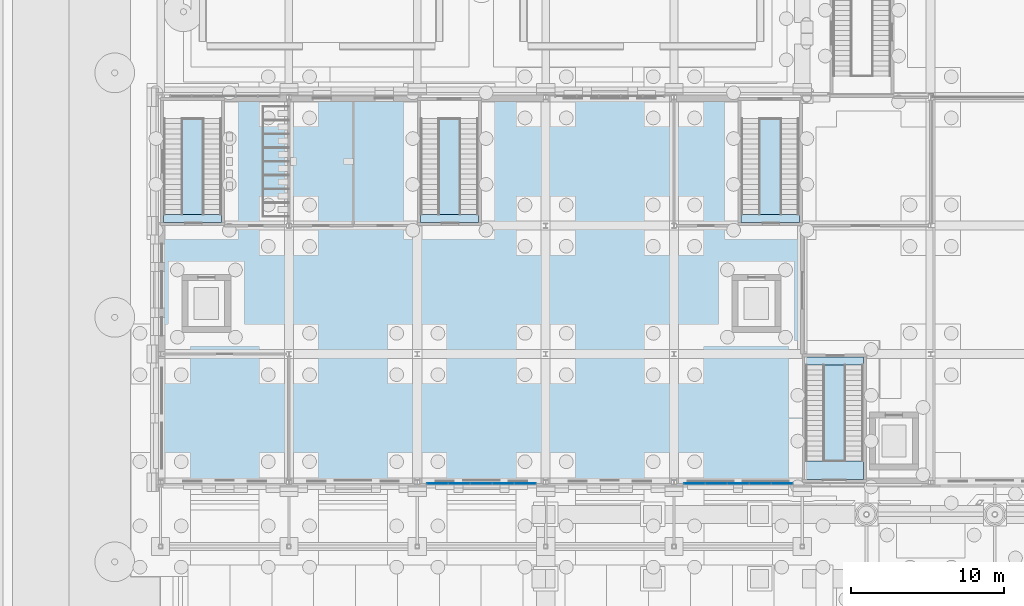
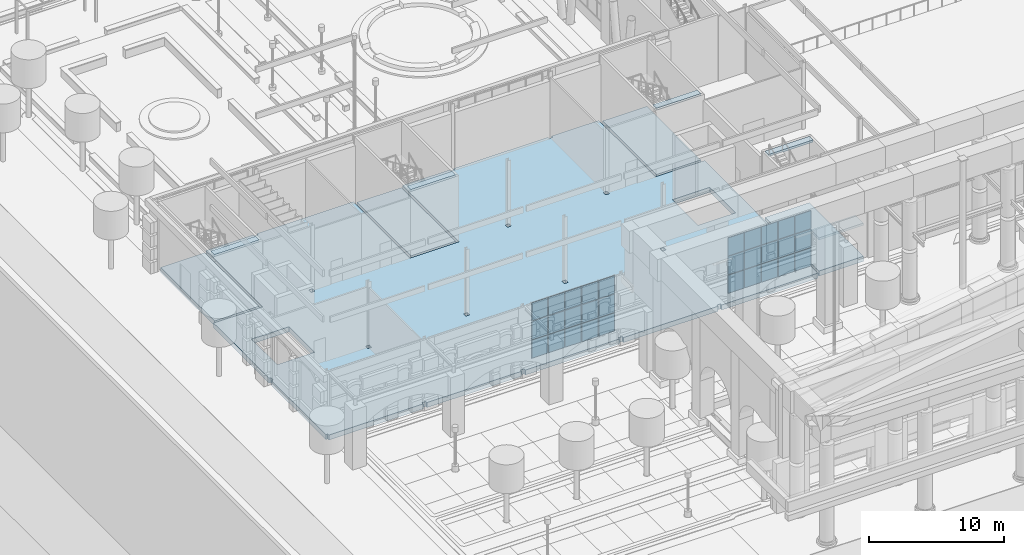
# One storey, part 74 of 222: 30 plates, 10 slabs, 6 elements without a shape of their own.
"""IFC4 building model written with IfcOpenShell, lengths in metres."""

from ifc_helpers import new_model, si_unit, direction, frame, origin, origin_2d, place, context, subcontext, project, spatial, polyline, rectangle, outline, extrude, material, layer, layer_set, type_object, element, aggregate, save


model = new_model("IFC4")

# Units and contexts
model_context = context("Model", 3, precision=1e-05, world=origin(), true_north=direction((0.0, 1.0)))
body_context = subcontext(model_context, "Body", "Model", "MODEL_VIEW")
ifc_project = project(units=[si_unit("LENGTHUNIT", "METRE"), si_unit("AREAUNIT", "SQUARE_METRE"), si_unit("VOLUMEUNIT", "CUBIC_METRE"), si_unit("PLANEANGLEUNIT", "RADIAN"), si_unit("MASSUNIT", "GRAM", prefix="KILO")], contexts=[model_context])

# Site, building, storey
site_placement = place(None, origin())
site = spatial("IfcSite", under=ifc_project, at=site_placement, CompositionType="ELEMENT")
building_placement = place(site_placement, origin())
building = spatial("IfcBuilding", under=site, at=building_placement, Name="Sava Quay Ferry Terminal", CompositionType="ELEMENT")
storey_placement = place(building_placement, origin())
storey = spatial("IfcBuildingStorey", under=building, at=storey_placement, Name="L00", CompositionType="ELEMENT", Elevation=0.0)

# Curtain wall, plates
ifc_material_1 = material(Name="Aluminium and glass curtain wall, double low-e glazed", Category="aluminium")
curtain_wall_type = type_object("IfcCurtainWallType", Name="Curtain wall CW-F flank", PredefinedType="NOTDEFINED", material=ifc_material_1)
curtain_wall_1_placement = place(storey_placement, origin())
curtain_wall_1 = element("IfcCurtainWall", 1, at=curtain_wall_1_placement, inside=storey, type_object=curtain_wall_type, Name="Curtain wall W-S L00 bay 3", PredefinedType="NOTDEFINED")
ifc_material_2 = material(Name="Laminated glass, double low-e glazed unit", Category="glass")
ifc_layer_1 = layer(ifc_material_2, 0.028076171875)
ifc_layer_set_1 = layer_set([ifc_layer_1], Name="Laminated glass, double low-e glazed unit")
plate_type = type_object("IfcPlateType", Name="Glass panel 28 double low-e", PredefinedType="CURTAIN_PANEL", material=ifc_layer_set_1)
plate_1_placement = place(storey_placement, frame((18.135009765625, 25.114990234375, 0.949951171875), z_axis=(0.0, 0.0, 1.0), x_axis=(1.0, 0.0, 0.0)))
plate_1 = element("IfcPlate", 2, at=plate_1_placement, type_object=plate_type, Name="CW131 panel 1.1", PredefinedType="CURTAIN_PANEL", context=body_context, shape_type="SweptSolid", body=[
    extrude(rectangle(XDim=1.35009765625, YDim=0.028076171875, at=origin_2d()), origin(), (0.0, 0.0, 1.0), 1.625),
])
plate_2_placement = place(storey_placement, frame((18.135009765625, 25.114990234375, 2.625), z_axis=(0.0, 0.0, 1.0), x_axis=(1.0, 0.0, 0.0)))
plate_2 = element("IfcPlate", 3, at=plate_2_placement, type_object=plate_type, Name="CW131 panel 1.2", PredefinedType="CURTAIN_PANEL", context=body_context, shape_type="SweptSolid", body=[
    extrude(rectangle(XDim=1.35009765625, YDim=0.028076171875, at=origin_2d()), origin(), (0.0, 0.0, 1.0), 1.64990234375),
])
plate_3_placement = place(storey_placement, frame((18.135009765625, 25.114990234375, 4.324951171875), z_axis=(0.0, 0.0, 1.0), x_axis=(1.0, 0.0, 0.0)))
plate_3 = element("IfcPlate", 4, at=plate_3_placement, type_object=plate_type, Name="CW131 panel 1.3", PredefinedType="CURTAIN_PANEL", context=body_context, shape_type="SweptSolid", body=[
    extrude(rectangle(XDim=1.35009765625, YDim=0.028076171875, at=origin_2d()), origin(), (0.0, 0.0, 1.0), 1.625),
])
plate_4_placement = place(storey_placement, frame((19.56005859375, 25.114990234375, 0.949951171875), z_axis=(0.0, 0.0, 1.0), x_axis=(1.0, 0.0, 0.0)))
plate_4 = element("IfcPlate", 5, at=plate_4_placement, type_object=plate_type, Name="CW131 panel 2.1", PredefinedType="CURTAIN_PANEL", context=body_context, shape_type="SweptSolid", body=[
    extrude(rectangle(XDim=1.3798828125, YDim=0.028076171875, at=origin_2d()), origin(), (0.0, 0.0, 1.0), 1.625),
])
plate_5_placement = place(storey_placement, frame((19.56005859375, 25.114990234375, 2.625), z_axis=(0.0, 0.0, 1.0), x_axis=(1.0, 0.0, 0.0)))
plate_5 = element("IfcPlate", 6, at=plate_5_placement, type_object=plate_type, Name="CW131 panel 2.2", PredefinedType="CURTAIN_PANEL", context=body_context, shape_type="SweptSolid", body=[
    extrude(rectangle(XDim=1.3798828125, YDim=0.028076171875, at=origin_2d()), origin(), (0.0, 0.0, 1.0), 1.64990234375),
])
plate_6_placement = place(storey_placement, frame((19.56005859375, 25.114990234375, 4.324951171875), z_axis=(0.0, 0.0, 1.0), x_axis=(1.0, 0.0, 0.0)))
plate_6 = element("IfcPlate", 7, at=plate_6_placement, type_object=plate_type, Name="CW131 panel 2.3", PredefinedType="CURTAIN_PANEL", context=body_context, shape_type="SweptSolid", body=[
    extrude(rectangle(XDim=1.3798828125, YDim=0.028076171875, at=origin_2d()), origin(), (0.0, 0.0, 1.0), 1.625),
])
plate_7_placement = place(storey_placement, frame((21.0, 25.114990234375, 0.949951171875), z_axis=(0.0, 0.0, 1.0), x_axis=(1.0, 0.0, 0.0)))
plate_7 = element("IfcPlate", 8, at=plate_7_placement, type_object=plate_type, Name="CW131 panel 3.1", PredefinedType="CURTAIN_PANEL", context=body_context, shape_type="SweptSolid", body=[
    extrude(rectangle(XDim=1.3798828125, YDim=0.028076171875, at=origin_2d()), origin(), (0.0, 0.0, 1.0), 1.625),
])
plate_8_placement = place(storey_placement, frame((21.0, 25.114990234375, 2.625), z_axis=(0.0, 0.0, 1.0), x_axis=(1.0, 0.0, 0.0)))
plate_8 = element("IfcPlate", 9, at=plate_8_placement, type_object=plate_type, Name="CW131 panel 3.2", PredefinedType="CURTAIN_PANEL", context=body_context, shape_type="SweptSolid", body=[
    extrude(rectangle(XDim=1.3798828125, YDim=0.028076171875, at=origin_2d()), origin(), (0.0, 0.0, 1.0), 1.64990234375),
])
plate_9_placement = place(storey_placement, frame((21.0, 25.114990234375, 4.324951171875), z_axis=(0.0, 0.0, 1.0), x_axis=(1.0, 0.0, 0.0)))
plate_9 = element("IfcPlate", 10, at=plate_9_placement, type_object=plate_type, Name="CW131 panel 3.3", PredefinedType="CURTAIN_PANEL", context=body_context, shape_type="SweptSolid", body=[
    extrude(rectangle(XDim=1.3798828125, YDim=0.028076171875, at=origin_2d()), origin(), (0.0, 0.0, 1.0), 1.625),
])
plate_10_placement = place(storey_placement, frame((22.43994140625, 25.114990234375, 0.949951171875), z_axis=(0.0, 0.0, 1.0), x_axis=(1.0, 0.0, 0.0)))
plate_10 = element("IfcPlate", 11, at=plate_10_placement, type_object=plate_type, Name="CW131 panel 4.1", PredefinedType="CURTAIN_PANEL", context=body_context, shape_type="SweptSolid", body=[
    extrude(rectangle(XDim=1.3798828125, YDim=0.028076171875, at=origin_2d()), origin(), (0.0, 0.0, 1.0), 1.625),
])
plate_11_placement = place(storey_placement, frame((22.43994140625, 25.114990234375, 2.625), z_axis=(0.0, 0.0, 1.0), x_axis=(1.0, 0.0, 0.0)))
plate_11 = element("IfcPlate", 12, at=plate_11_placement, type_object=plate_type, Name="CW131 panel 4.2", PredefinedType="CURTAIN_PANEL", context=body_context, shape_type="SweptSolid", body=[
    extrude(rectangle(XDim=1.3798828125, YDim=0.028076171875, at=origin_2d()), origin(), (0.0, 0.0, 1.0), 1.64990234375),
])
plate_12_placement = place(storey_placement, frame((22.43994140625, 25.114990234375, 4.324951171875), z_axis=(0.0, 0.0, 1.0), x_axis=(1.0, 0.0, 0.0)))
plate_12 = element("IfcPlate", 13, at=plate_12_placement, type_object=plate_type, Name="CW131 panel 4.3", PredefinedType="CURTAIN_PANEL", context=body_context, shape_type="SweptSolid", body=[
    extrude(rectangle(XDim=1.3798828125, YDim=0.028076171875, at=origin_2d()), origin(), (0.0, 0.0, 1.0), 1.625),
])
plate_13_placement = place(storey_placement, frame((23.864990234375, 25.114990234375, 0.949951171875), z_axis=(0.0, 0.0, 1.0), x_axis=(1.0, 0.0, 0.0)))
plate_13 = element("IfcPlate", 14, at=plate_13_placement, type_object=plate_type, Name="CW131 panel 5.1", PredefinedType="CURTAIN_PANEL", context=body_context, shape_type="SweptSolid", body=[
    extrude(rectangle(XDim=1.35009765625, YDim=0.028076171875, at=origin_2d()), origin(), (0.0, 0.0, 1.0), 1.625),
])
plate_14_placement = place(storey_placement, frame((23.864990234375, 25.114990234375, 2.625), z_axis=(0.0, 0.0, 1.0), x_axis=(1.0, 0.0, 0.0)))
plate_14 = element("IfcPlate", 15, at=plate_14_placement, type_object=plate_type, Name="CW131 panel 5.2", PredefinedType="CURTAIN_PANEL", context=body_context, shape_type="SweptSolid", body=[
    extrude(rectangle(XDim=1.35009765625, YDim=0.028076171875, at=origin_2d()), origin(), (0.0, 0.0, 1.0), 1.64990234375),
])
plate_15_placement = place(storey_placement, frame((23.864990234375, 25.114990234375, 4.324951171875), z_axis=(0.0, 0.0, 1.0), x_axis=(1.0, 0.0, 0.0)))
plate_15 = element("IfcPlate", 16, at=plate_15_placement, type_object=plate_type, Name="CW131 panel 5.3", PredefinedType="CURTAIN_PANEL", context=body_context, shape_type="SweptSolid", body=[
    extrude(rectangle(XDim=1.35009765625, YDim=0.028076171875, at=origin_2d()), origin(), (0.0, 0.0, 1.0), 1.625),
])
aggregate(curtain_wall_1, [plate_1, plate_2, plate_3, plate_4, plate_5, plate_6, plate_7, plate_8, plate_9, plate_10, plate_11, plate_12, plate_13, plate_14, plate_15])

curtain_wall_2_placement = place(storey_placement, origin())
curtain_wall_2 = element("IfcCurtainWall", 17, at=curtain_wall_2_placement, inside=storey, type_object=curtain_wall_type, Name="Curtain wall W-S L00 bay 5", PredefinedType="NOTDEFINED")
plate_16_placement = place(storey_placement, frame((34.93505859375, 25.114990234375, 0.949951171875), z_axis=(0.0, 0.0, 1.0), x_axis=(1.0, 0.0, 0.0)))
plate_16 = element("IfcPlate", 18, at=plate_16_placement, type_object=plate_type, Name="CW132 panel 1.1", PredefinedType="CURTAIN_PANEL", context=body_context, shape_type="SweptSolid", body=[
    extrude(rectangle(XDim=1.35009765625, YDim=0.028076171875, at=origin_2d()), origin(), (0.0, 0.0, 1.0), 1.625),
])
plate_17_placement = place(storey_placement, frame((34.93505859375, 25.114990234375, 2.625), z_axis=(0.0, 0.0, 1.0), x_axis=(1.0, 0.0, 0.0)))
plate_17 = element("IfcPlate", 19, at=plate_17_placement, type_object=plate_type, Name="CW132 panel 1.2", PredefinedType="CURTAIN_PANEL", context=body_context, shape_type="SweptSolid", body=[
    extrude(rectangle(XDim=1.35009765625, YDim=0.028076171875, at=origin_2d()), origin(), (0.0, 0.0, 1.0), 1.64990234375),
])
plate_18_placement = place(storey_placement, frame((34.93505859375, 25.114990234375, 4.324951171875), z_axis=(0.0, 0.0, 1.0), x_axis=(1.0, 0.0, 0.0)))
plate_18 = element("IfcPlate", 20, at=plate_18_placement, type_object=plate_type, Name="CW132 panel 1.3", PredefinedType="CURTAIN_PANEL", context=body_context, shape_type="SweptSolid", body=[
    extrude(rectangle(XDim=1.35009765625, YDim=0.028076171875, at=origin_2d()), origin(), (0.0, 0.0, 1.0), 1.625),
])
plate_19_placement = place(storey_placement, frame((36.360107421875, 25.114990234375, 0.949951171875), z_axis=(0.0, 0.0, 1.0), x_axis=(1.0, 0.0, 0.0)))
plate_19 = element("IfcPlate", 21, at=plate_19_placement, type_object=plate_type, Name="CW132 panel 2.1", PredefinedType="CURTAIN_PANEL", context=body_context, shape_type="SweptSolid", body=[
    extrude(rectangle(XDim=1.3798828125, YDim=0.028076171875, at=origin_2d()), origin(), (0.0, 0.0, 1.0), 1.625),
])
plate_20_placement = place(storey_placement, frame((36.360107421875, 25.114990234375, 2.625), z_axis=(0.0, 0.0, 1.0), x_axis=(1.0, 0.0, 0.0)))
plate_20 = element("IfcPlate", 22, at=plate_20_placement, type_object=plate_type, Name="CW132 panel 2.2", PredefinedType="CURTAIN_PANEL", context=body_context, shape_type="SweptSolid", body=[
    extrude(rectangle(XDim=1.3798828125, YDim=0.028076171875, at=origin_2d()), origin(), (0.0, 0.0, 1.0), 1.64990234375),
])
plate_21_placement = place(storey_placement, frame((36.360107421875, 25.114990234375, 4.324951171875), z_axis=(0.0, 0.0, 1.0), x_axis=(1.0, 0.0, 0.0)))
plate_21 = element("IfcPlate", 23, at=plate_21_placement, type_object=plate_type, Name="CW132 panel 2.3", PredefinedType="CURTAIN_PANEL", context=body_context, shape_type="SweptSolid", body=[
    extrude(rectangle(XDim=1.3798828125, YDim=0.028076171875, at=origin_2d()), origin(), (0.0, 0.0, 1.0), 1.625),
])
plate_22_placement = place(storey_placement, frame((37.800048828125, 25.114990234375, 0.949951171875), z_axis=(0.0, 0.0, 1.0), x_axis=(1.0, 0.0, 0.0)))
plate_22 = element("IfcPlate", 24, at=plate_22_placement, type_object=plate_type, Name="CW132 panel 3.1", PredefinedType="CURTAIN_PANEL", context=body_context, shape_type="SweptSolid", body=[
    extrude(rectangle(XDim=1.3798828125, YDim=0.028076171875, at=origin_2d()), origin(), (0.0, 0.0, 1.0), 1.625),
])
plate_23_placement = place(storey_placement, frame((37.800048828125, 25.114990234375, 2.625), z_axis=(0.0, 0.0, 1.0), x_axis=(1.0, 0.0, 0.0)))
plate_23 = element("IfcPlate", 25, at=plate_23_placement, type_object=plate_type, Name="CW132 panel 3.2", PredefinedType="CURTAIN_PANEL", context=body_context, shape_type="SweptSolid", body=[
    extrude(rectangle(XDim=1.3798828125, YDim=0.028076171875, at=origin_2d()), origin(), (0.0, 0.0, 1.0), 1.64990234375),
])
plate_24_placement = place(storey_placement, frame((37.800048828125, 25.114990234375, 4.324951171875), z_axis=(0.0, 0.0, 1.0), x_axis=(1.0, 0.0, 0.0)))
plate_24 = element("IfcPlate", 26, at=plate_24_placement, type_object=plate_type, Name="CW132 panel 3.3", PredefinedType="CURTAIN_PANEL", context=body_context, shape_type="SweptSolid", body=[
    extrude(rectangle(XDim=1.3798828125, YDim=0.028076171875, at=origin_2d()), origin(), (0.0, 0.0, 1.0), 1.625),
])
plate_25_placement = place(storey_placement, frame((39.239990234375, 25.114990234375, 0.949951171875), z_axis=(0.0, 0.0, 1.0), x_axis=(1.0, 0.0, 0.0)))
plate_25 = element("IfcPlate", 27, at=plate_25_placement, type_object=plate_type, Name="CW132 panel 4.1", PredefinedType="CURTAIN_PANEL", context=body_context, shape_type="SweptSolid", body=[
    extrude(rectangle(XDim=1.3798828125, YDim=0.028076171875, at=origin_2d()), origin(), (0.0, 0.0, 1.0), 1.625),
])
plate_26_placement = place(storey_placement, frame((39.239990234375, 25.114990234375, 2.625), z_axis=(0.0, 0.0, 1.0), x_axis=(1.0, 0.0, 0.0)))
plate_26 = element("IfcPlate", 28, at=plate_26_placement, type_object=plate_type, Name="CW132 panel 4.2", PredefinedType="CURTAIN_PANEL", context=body_context, shape_type="SweptSolid", body=[
    extrude(rectangle(XDim=1.3798828125, YDim=0.028076171875, at=origin_2d()), origin(), (0.0, 0.0, 1.0), 1.64990234375),
])
plate_27_placement = place(storey_placement, frame((39.239990234375, 25.114990234375, 4.324951171875), z_axis=(0.0, 0.0, 1.0), x_axis=(1.0, 0.0, 0.0)))
plate_27 = element("IfcPlate", 29, at=plate_27_placement, type_object=plate_type, Name="CW132 panel 4.3", PredefinedType="CURTAIN_PANEL", context=body_context, shape_type="SweptSolid", body=[
    extrude(rectangle(XDim=1.3798828125, YDim=0.028076171875, at=origin_2d()), origin(), (0.0, 0.0, 1.0), 1.625),
])
plate_28_placement = place(storey_placement, frame((40.6650390625, 25.114990234375, 0.949951171875), z_axis=(0.0, 0.0, 1.0), x_axis=(1.0, 0.0, 0.0)))
plate_28 = element("IfcPlate", 30, at=plate_28_placement, type_object=plate_type, Name="CW132 panel 5.1", PredefinedType="CURTAIN_PANEL", context=body_context, shape_type="SweptSolid", body=[
    extrude(rectangle(XDim=1.35009765625, YDim=0.028076171875, at=origin_2d()), origin(), (0.0, 0.0, 1.0), 1.625),
])
plate_29_placement = place(storey_placement, frame((40.6650390625, 25.114990234375, 2.625), z_axis=(0.0, 0.0, 1.0), x_axis=(1.0, 0.0, 0.0)))
plate_29 = element("IfcPlate", 31, at=plate_29_placement, type_object=plate_type, Name="CW132 panel 5.2", PredefinedType="CURTAIN_PANEL", context=body_context, shape_type="SweptSolid", body=[
    extrude(rectangle(XDim=1.35009765625, YDim=0.028076171875, at=origin_2d()), origin(), (0.0, 0.0, 1.0), 1.64990234375),
])
plate_30_placement = place(storey_placement, frame((40.6650390625, 25.114990234375, 4.324951171875), z_axis=(0.0, 0.0, 1.0), x_axis=(1.0, 0.0, 0.0)))
plate_30 = element("IfcPlate", 32, at=plate_30_placement, type_object=plate_type, Name="CW132 panel 5.3", PredefinedType="CURTAIN_PANEL", context=body_context, shape_type="SweptSolid", body=[
    extrude(rectangle(XDim=1.35009765625, YDim=0.028076171875, at=origin_2d()), origin(), (0.0, 0.0, 1.0), 1.625),
])
aggregate(curtain_wall_2, [plate_16, plate_17, plate_18, plate_19, plate_20, plate_21, plate_22, plate_23, plate_24, plate_25, plate_26, plate_27, plate_28, plate_29, plate_30])

# Slabs
ifc_material_3 = material(Name="Concrete C40/50", Category="concrete")
ifc_layer_2 = layer(ifc_material_3, 0.449951171875)
ifc_layer_set_2 = layer_set([ifc_layer_2], Name="Concrete C40/50")
slab_type_1 = type_object("IfcSlabType", Name="RC deck slab 450", PredefinedType="FLOOR", material=ifc_layer_set_2)
slab_1_placement = place(storey_placement, frame((0.0, 0.0, -0.449951171875)))
element("IfcSlab", 33, at=slab_1_placement, inside=storey, type_object=slab_type_1, Name="W floor slab L00", PredefinedType="FLOOR", context=body_context, shape_type="SweptSolid", body=[
    extrude(outline(polyline([(42.0, 25.199951171875), (33.760009765625, 25.199951171875), (33.760009765625, 25.3701171875), (33.43994140625, 25.3701171875), (33.43994140625, 25.199951171875), (25.360107421875, 25.199951171875), (25.360107421875, 25.3701171875), (25.0400390625, 25.3701171875), (25.0400390625, 25.199951171875), (16.9599609375, 25.199951171875), (16.9599609375, 25.3701171875), (16.639892578125, 25.3701171875), (16.639892578125, 25.199951171875), (8.56005859375, 25.199951171875), (8.56005859375, 25.3701171875), (8.239990234375, 25.3701171875), (8.239990234375, 25.199951171875), (0.159912109375, 25.199951171875), (0.159912109375, 25.3701171875), (0.0, 25.3701171875), (0.0, 33.429931640625), (0.159912109375, 33.429931640625), (0.159912109375, 33.77001953125), (0.0, 33.77001953125), (0.0, 42.0), (4.199951171875, 42.0), (4.199951171875, 50.39990234375), (8.239990234375, 50.39990234375), (8.239990234375, 50.22998046875), (8.56005859375, 50.22998046875), (8.56005859375, 50.39990234375), (16.800048828125, 50.39990234375), (16.800048828125, 42.0), (21.0, 42.0), (21.0, 50.39990234375), (25.0400390625, 50.39990234375), (25.0400390625, 50.22998046875), (25.360107421875, 50.22998046875), (25.360107421875, 50.39990234375), (33.43994140625, 50.39990234375), (33.43994140625, 50.22998046875), (33.760009765625, 50.22998046875), (33.760009765625, 50.39990234375), (37.800048828125, 50.39990234375), (37.800048828125, 42.0), (42.0, 42.0), (42.0, 33.60009765625), (42.0, 25.199951171875)]), holes=[polyline([(33.760009765625, 33.77001953125), (33.43994140625, 33.77001953125), (33.43994140625, 33.429931640625), (33.760009765625, 33.429931640625), (33.760009765625, 33.77001953125)]), polyline([(25.0400390625, 33.77001953125), (25.0400390625, 33.429931640625), (25.360107421875, 33.429931640625), (25.360107421875, 33.77001953125), (25.0400390625, 33.77001953125)]), polyline([(16.9599609375, 33.77001953125), (16.639892578125, 33.77001953125), (16.639892578125, 33.429931640625), (16.9599609375, 33.429931640625), (16.9599609375, 33.77001953125)]), polyline([(8.56005859375, 33.77001953125), (8.239990234375, 33.77001953125), (8.239990234375, 33.429931640625), (8.56005859375, 33.429931640625), (8.56005859375, 33.77001953125)]), polyline([(40.60009765625, 38.800048828125), (37.39990234375, 38.800048828125), (37.39990234375, 35.0), (40.60009765625, 35.0), (40.60009765625, 38.800048828125)]), polyline([(4.60009765625, 38.800048828125), (1.39990234375, 38.800048828125), (1.39990234375, 35.0), (4.60009765625, 35.0), (4.60009765625, 38.800048828125)]), polyline([(25.360107421875, 42.169921875), (25.0400390625, 42.169921875), (25.0400390625, 41.830078125), (25.360107421875, 41.830078125), (25.360107421875, 42.169921875)]), polyline([(8.56005859375, 42.169921875), (8.239990234375, 42.169921875), (8.239990234375, 41.830078125), (8.56005859375, 41.830078125), (8.56005859375, 42.169921875)]), polyline([(33.43994140625, 42.169921875), (33.43994140625, 41.830078125), (33.760009765625, 41.830078125), (33.760009765625, 42.169921875), (33.43994140625, 42.169921875)])]), origin(), (0.0, 0.0, 1.0), 0.449951171875),
])
slab_2_placement = place(storey_placement, frame((0.0, 0.0, -0.449951171875)))
element("IfcSlab", 34, at=slab_2_placement, inside=storey, type_object=slab_type_1, Name="Stair floor ST-A1", PredefinedType="FLOOR", context=body_context, shape_type="SweptSolid", body=[
    extrude(outline(polyline([(42.199951171875, 25.39990234375), (46.0, 25.39990234375), (46.0, 33.39990234375), (42.199951171875, 33.39990234375), (42.199951171875, 25.39990234375)])), origin(), (0.0, 0.0, 1.0), 0.449951171875),
])
slab_3_placement = place(storey_placement, frame((0.0, 0.0, -0.449951171875)))
element("IfcSlab", 35, at=slab_3_placement, inside=storey, type_object=slab_type_1, Name="Stair floor ST-W1", PredefinedType="FLOOR", context=body_context, shape_type="SweptSolid", body=[
    extrude(outline(polyline([(0.199951171875, 42.199951171875), (4.0, 42.199951171875), (4.0, 50.199951171875), (0.199951171875, 50.199951171875), (0.199951171875, 42.199951171875)])), origin(), (0.0, 0.0, 1.0), 0.449951171875),
])
slab_4_placement = place(storey_placement, frame((0.0, 0.0, -0.449951171875)))
element("IfcSlab", 36, at=slab_4_placement, inside=storey, type_object=slab_type_1, Name="Stair floor ST-W2", PredefinedType="FLOOR", context=body_context, shape_type="SweptSolid", body=[
    extrude(outline(polyline([(38.0, 42.199951171875), (41.800048828125, 42.199951171875), (41.800048828125, 50.199951171875), (38.0, 50.199951171875), (38.0, 42.199951171875)])), origin(), (0.0, 0.0, 1.0), 0.449951171875),
])
slab_5_placement = place(storey_placement, frame((0.0, 0.0, -0.449951171875)))
element("IfcSlab", 37, at=slab_5_placement, inside=storey, type_object=slab_type_1, Name="Stair floor ST-W3", PredefinedType="FLOOR", context=body_context, shape_type="SweptSolid", body=[
    extrude(outline(polyline([(17.0, 42.199951171875), (20.800048828125, 42.199951171875), (20.800048828125, 50.199951171875), (17.0, 50.199951171875), (17.0, 42.199951171875)])), origin(), (0.0, 0.0, 1.0), 0.449951171875),
])

# Stair, slab
ifc_material_4 = material(Name="Concrete C30/37", Category="concrete")
stair_type = type_object("IfcStairType", Name="Stair 1200 half landing", PredefinedType="HALF_TURN_STAIR", material=ifc_material_4)
stair_1_placement = place(storey_placement, origin())
stair_1 = element("IfcStair", 38, at=stair_1_placement, inside=storey, type_object=stair_type, Name="Stair ST-A1 L00", PredefinedType="HALF_TURN_STAIR")
ifc_material_5 = material(Name="Concrete C30/37", Category="concrete")
ifc_layer_3 = layer(ifc_material_5, 0.199951171875)
ifc_layer_set_3 = layer_set([ifc_layer_3], Name="Concrete C30/37")
slab_type_2 = type_object("IfcSlabType", Name="Stair head floor 200", PredefinedType="FLOOR", material=ifc_layer_set_3)
slab_6_placement = place(storey_placement, frame((0.0, 0.0, 5.800048828125)))
slab_6 = element("IfcSlab", 39, at=slab_6_placement, type_object=slab_type_2, Name="ST-A1 head floor L01", PredefinedType="FLOOR", context=body_context, shape_type="SweptSolid", body=[
    extrude(outline(polyline([(42.199951171875, 32.8701171875), (42.199951171875, 33.39990234375), (46.0, 33.39990234375), (46.0, 32.8701171875), (42.199951171875, 32.8701171875)])), origin(), (0.0, 0.0, 1.0), 0.199951171875),
])

stair_2_placement = place(storey_placement, origin())
stair_2 = element("IfcStair", 40, at=stair_2_placement, inside=storey, type_object=stair_type, Name="Stair ST-W1 L00", PredefinedType="HALF_TURN_STAIR")
slab_7_placement = place(storey_placement, frame((0.0, 0.0, 5.800048828125)))
slab_7 = element("IfcSlab", 41, at=slab_7_placement, type_object=slab_type_2, Name="ST-W1 head floor L01", PredefinedType="FLOOR", context=body_context, shape_type="SweptSolid", body=[
    extrude(outline(polyline([(0.199951171875, 42.199951171875), (0.199951171875, 42.72998046875), (4.0, 42.72998046875), (4.0, 42.199951171875), (0.199951171875, 42.199951171875)])), origin(), (0.0, 0.0, 1.0), 0.199951171875),
])
aggregate(stair_2, [slab_7])

stair_3_placement = place(storey_placement, origin())
stair_3 = element("IfcStair", 42, at=stair_3_placement, inside=storey, type_object=stair_type, Name="Stair ST-W3 L00", PredefinedType="HALF_TURN_STAIR")
slab_8_placement = place(storey_placement, frame((0.0, 0.0, 5.800048828125)))
slab_8 = element("IfcSlab", 43, at=slab_8_placement, type_object=slab_type_2, Name="ST-W3 head floor L01", PredefinedType="FLOOR", context=body_context, shape_type="SweptSolid", body=[
    extrude(outline(polyline([(17.0, 42.199951171875), (17.0, 42.72998046875), (20.800048828125, 42.72998046875), (20.800048828125, 42.199951171875), (17.0, 42.199951171875)])), origin(), (0.0, 0.0, 1.0), 0.199951171875),
])
aggregate(stair_3, [slab_8])

stair_4_placement = place(storey_placement, origin())
stair_4 = element("IfcStair", 44, at=stair_4_placement, inside=storey, type_object=stair_type, Name="Stair ST-W2 L00", PredefinedType="HALF_TURN_STAIR")
slab_9_placement = place(storey_placement, frame((0.0, 0.0, 5.800048828125)))
slab_9 = element("IfcSlab", 45, at=slab_9_placement, type_object=slab_type_2, Name="ST-W2 head floor L01", PredefinedType="FLOOR", context=body_context, shape_type="SweptSolid", body=[
    extrude(outline(polyline([(38.0, 42.199951171875), (38.0, 42.72998046875), (41.800048828125, 42.72998046875), (41.800048828125, 42.199951171875), (38.0, 42.199951171875)])), origin(), (0.0, 0.0, 1.0), 0.199951171875),
])
aggregate(stair_4, [slab_9])

# Slab
ifc_material_6 = material(Name="Concrete C30/37", Category="concrete")
ifc_layer_4 = layer(ifc_material_6, 0.199951171875)
ifc_layer_set_4 = layer_set([ifc_layer_4], Name="Concrete C30/37")
slab_type_3 = type_object("IfcSlabType", Name="Stair landing 200", PredefinedType="LANDING", material=ifc_layer_set_4)
slab_10_placement = place(storey_placement, frame((0.0, 0.0, 2.800048828125)))
slab_10 = element("IfcSlab", 46, at=slab_10_placement, type_object=slab_type_3, Name="ST-A1 landing 1", PredefinedType="LANDING", context=body_context, shape_type="SweptSolid", body=[
    extrude(outline(polyline([(42.199951171875, 25.39990234375), (42.199951171875, 26.60009765625), (46.0, 26.60009765625), (46.0, 25.39990234375), (42.199951171875, 25.39990234375)])), origin(), (0.0, 0.0, 1.0), 0.199951171875),
])

aggregate(stair_1, [slab_10, slab_6])

save(model, "model.ifc")
